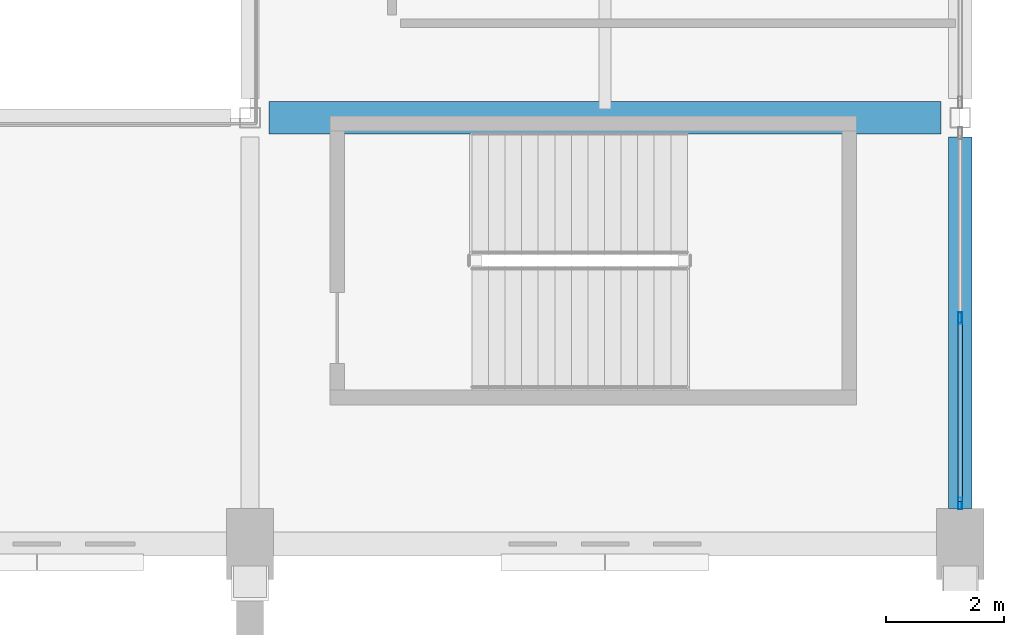
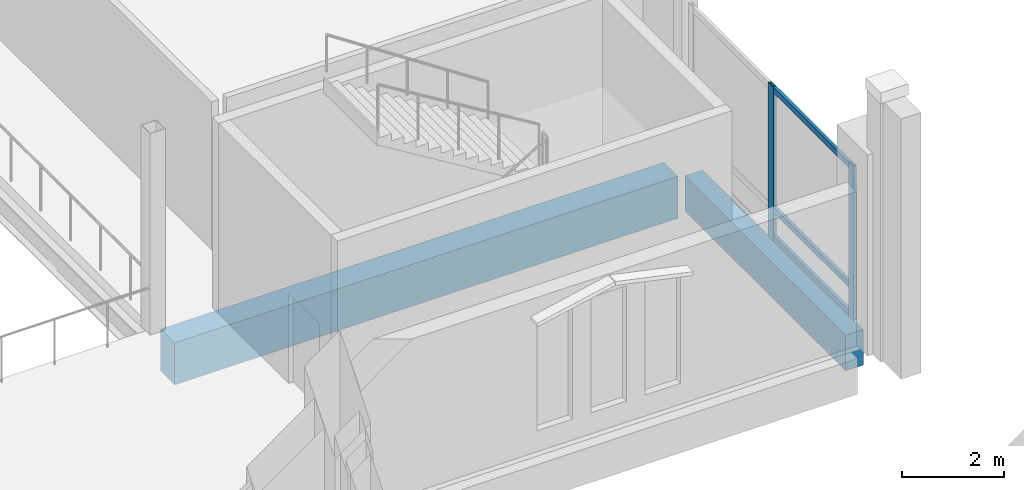
# One storey, part 79 of 193: 5 members, 2 beams, 1 element without a shape of its own.
"""IFC4 building model written with IfcOpenShell, lengths in metres."""

import ifcopenshell
import ifcopenshell.guid

model = None  # the IFC model being written
_history = None  # IfcOwnerHistory: only IFC2X3 demands one
_inside = {}  # id of a spatial element -> (the spatial element, [elements in it])
_under = {}  # id of a project, library or spatial element -> (it, [spatial elements below it])
_declared = {}  # id of a project -> (the project, [libraries it declares])
_typed = {}  # id of a type object -> (the type object, [elements of that type])
_made_of = {}  # id of a material, layer set ... -> (it, [elements and type objects made of it])


def new_model(schema):
    """Start an empty IFC model of exactly this schema.

    Asked for "IFC4X3", IfcOpenShell would pick the latest addendum, in which some entities
    have other attributes; the version numbers below select the first issue.
    IFC2X3 requires an IfcOwnerHistory on every rooted entity: one is made here for all.
    """
    global model, _history
    if schema == "IFC4X3":
        model = ifcopenshell.file(schema_version=(4, 3, 0, 0))
    else:
        model = ifcopenshell.file(schema=schema)
    _inside.clear()
    _under.clear()
    _declared.clear()
    _typed.clear()
    _made_of.clear()
    _history = None
    if model.schema == "IFC2X3":
        org = make("IfcOrganization", Name="unknown")
        user = make(
            "IfcPersonAndOrganization",
            ThePerson=make("IfcPerson", FamilyName="unknown"),
            TheOrganization=org,
        )
        app = make(
            "IfcApplication",
            ApplicationDeveloper=org,
            Version="unknown",
            ApplicationFullName="unknown",
            ApplicationIdentifier="unknown",
        )
        _history = make(
            "IfcOwnerHistory",
            OwningUser=user,
            OwningApplication=app,
            ChangeAction="ADDED",
            CreationDate=0,
        )
    return model


def make(cls, **values):
    """One entity of the class cls with the attributes given. An attribute that is None is left unset."""
    return model.create_entity(
        cls, **{name: value for name, value in values.items() if value is not None}
    )


def rooted(cls, **values):
    """An entity with a GlobalId (a new one), such as an element, a storey or a relation."""
    return make(cls, GlobalId=ifcopenshell.guid.new(), OwnerHistory=_history, **values)


def si_unit(unit_type, name, prefix=None):
    """IfcSIUnit, for example si_unit("LENGTHUNIT", "METRE", prefix="MILLI")."""
    return make("IfcSIUnit", UnitType=unit_type, Prefix=prefix, Name=name)


def assignment(units):
    """IfcUnitAssignment: the units of a project."""
    return None if units is None else make("IfcUnitAssignment", Units=units)


def point(xyz):
    """IfcCartesianPoint."""
    return None if xyz is None else make("IfcCartesianPoint", Coordinates=xyz)


def direction(xyz):
    """IfcDirection."""
    return None if xyz is None else make("IfcDirection", DirectionRatios=xyz)


def frame(location, z_axis=None, x_axis=None):
    """IfcAxis2Placement3D, a coordinate frame: its origin and axes. An axis left out is left unset."""
    return make(
        "IfcAxis2Placement3D",
        Location=point(location),
        Axis=direction(z_axis),
        RefDirection=direction(x_axis),
    )


def frame_2d(location, x_axis=None):
    """IfcAxis2Placement2D, a coordinate frame in the plane: its origin and x axis."""
    return make(
        "IfcAxis2Placement2D", Location=point(location), RefDirection=direction(x_axis)
    )


def origin():
    """The frame at (0, 0, 0) with its axes left unset."""
    return frame((0.0, 0.0, 0.0))


def origin_2d():
    """The frame at (0, 0) in the plane with its x axis left unset."""
    return frame_2d((0.0, 0.0))


def place(relative_to, where):
    """IfcLocalPlacement: puts the frame where relative to a parent placement (None: the world)."""
    return make(
        "IfcLocalPlacement", PlacementRelTo=relative_to, RelativePlacement=where
    )


def context(
    kind, dimensions, precision=None, world=None, true_north=None, identifier=None
):
    """IfcGeometricRepresentationContext, for example the 3D "Model" context."""
    return make(
        "IfcGeometricRepresentationContext",
        ContextIdentifier=identifier,
        ContextType=kind,
        CoordinateSpaceDimension=dimensions,
        Precision=precision,
        WorldCoordinateSystem=world,
        TrueNorth=true_north,
    )


def subcontext(parent, identifier, kind, view, scale=None):
    """IfcGeometricRepresentationSubContext, for example "Body" below "Model"."""
    return make(
        "IfcGeometricRepresentationSubContext",
        ContextIdentifier=identifier,
        ContextType=kind,
        ParentContext=parent,
        TargetScale=scale,
        TargetView=view,
    )


def project(units=None, contexts=None):
    """IfcProject with its units and contexts."""
    return rooted(
        "IfcProject",
        Name="project",
        RepresentationContexts=contexts,
        UnitsInContext=assignment(units),
    )


def spatial(cls, under=None, at=None, **own):
    """A site, building, storey or space (cls), placed at a placement, below another one or the project."""
    s = rooted(cls, ObjectPlacement=at, **own)
    if under is not None:
        _under.setdefault(under.id(), (under, []))[1].append(s)
    return s


def profile(cls, at=None, kind="AREA", **sizes):
    """A parametric profile (cls). Its sizes go by their IFC names, for example OverallWidth=200.0."""
    return make(cls, ProfileType=kind, Position=at, **sizes)


def rectangle(**sizes):
    """IfcRectangleProfileDef."""
    return profile("IfcRectangleProfileDef", **sizes)


def hollow_rectangle(**sizes):
    """IfcRectangleHollowProfileDef."""
    return profile("IfcRectangleHollowProfileDef", **sizes)


def extrude(swept, where, along, depth):
    """IfcExtrudedAreaSolid: the profile swept, set in the frame where, extruded along a direction by depth."""
    return make(
        "IfcExtrudedAreaSolid",
        SweptArea=swept,
        Position=where,
        ExtrudedDirection=direction(along),
        Depth=depth,
    )


def shape(context_of_items, identifier, shape_type, items):
    """IfcShapeRepresentation: the items that make up one representation, for example the "Body"."""
    return make(
        "IfcShapeRepresentation",
        ContextOfItems=context_of_items,
        RepresentationIdentifier=identifier,
        RepresentationType=shape_type,
        Items=items,
    )


def material(Name=None, Category=None):
    """IfcMaterial."""
    return make("IfcMaterial", Name=Name, Category=Category)


def material_profile(
    of_material, cross_section, Name=None, Category=None, Priority=None
):
    """IfcMaterialProfile: a cross section and its material."""
    return make(
        "IfcMaterialProfile",
        Name=Name,
        Material=of_material,
        Profile=cross_section,
        Priority=Priority,
        Category=Category,
    )


def profile_set(profiles, Name=None, composite=None):
    """IfcMaterialProfileSet."""
    return make(
        "IfcMaterialProfileSet",
        Name=Name,
        MaterialProfiles=profiles,
        CompositeProfile=composite,
    )


def made_of(thing, what):
    """Note that an element or type object is made of a material, layer set ...; save() writes the relation."""
    if what is not None:
        _made_of.setdefault(what.id(), (what, []))[1].append(thing)
    return thing


def type_object(cls, material=None, **own):
    """A type object (cls), such as IfcWallType, which elements share."""
    return made_of(rooted(cls, **own), material)


def element(
    cls,
    number,
    at=None,
    inside=None,
    cuts=None,
    type_object=None,
    material=None,
    context=None,
    identifier="Body",
    shape_type=None,
    held_by="IfcProductDefinitionShape",
    body=None,
    shapes=None,
    **own,
):
    """One element of the class cls, such as IfcWall. Its Tag is "e" and its number.

    at: its placement. inside: the storey or other place that contains it. cuts: it is an
    opening in that element (IfcRelVoidsElement). A single representation is given by context,
    identifier, shape_type and body (its items); several are given by shapes. held_by: the class
    of the entity that holds the representations. save() writes the other relations.
    """
    e = rooted(cls, Tag="e%d" % number, ObjectPlacement=at, **own)
    if body is not None:
        shapes = [shape(context, identifier, shape_type, body)]
    if shapes is not None:
        e.Representation = make(held_by, Representations=shapes)
    if inside is not None:
        _inside.setdefault(inside.id(), (inside, []))[1].append(e)
    if cuts is not None:
        rooted(
            "IfcRelVoidsElement", RelatingBuildingElement=cuts, RelatedOpeningElement=e
        )
    if type_object is not None:
        _typed.setdefault(type_object.id(), (type_object, []))[1].append(e)
    return made_of(e, material)


def aggregate(whole, parts):
    """IfcRelAggregates: a whole, such as a stair, and the parts it consists of."""
    return rooted("IfcRelAggregates", RelatingObject=whole, RelatedObjects=parts)


def save(model, path):
    """Write the relations noted so far, then the file.

    IfcRelAggregates (storeys below a building ...), IfcRelContainedInSpatialStructure (elements
    in a storey), IfcRelDefinesByType, IfcRelAssociatesMaterial and IfcRelDeclares: one each for
    every whole, place, type object, material and project.
    """
    for whole, parts in _under.values():
        aggregate(whole, parts)
    for where, things in _inside.values():
        rooted(
            "IfcRelContainedInSpatialStructure",
            RelatedElements=things,
            RelatingStructure=where,
        )
    for kind, things in _typed.values():
        rooted("IfcRelDefinesByType", RelatedObjects=things, RelatingType=kind)
    for what, things in _made_of.values():
        rooted("IfcRelAssociatesMaterial", RelatedObjects=things, RelatingMaterial=what)
    for by, libraries in _declared.values():
        rooted("IfcRelDeclares", RelatingContext=by, RelatedDefinitions=libraries)
    model.write(path)


model = new_model("IFC4")

# Units and contexts
model_context = context("Model", 3, precision=1e-05, world=origin(), true_north=direction((0.0, 1.0)))
body_context = subcontext(model_context, "Body", "Model", "MODEL_VIEW")
ifc_project = project(units=[si_unit("LENGTHUNIT", "METRE"), si_unit("AREAUNIT", "SQUARE_METRE"), si_unit("VOLUMEUNIT", "CUBIC_METRE"), si_unit("PLANEANGLEUNIT", "RADIAN"), si_unit("MASSUNIT", "GRAM", prefix="KILO")], contexts=[model_context])

# Site, building, storey
site_placement = place(None, origin())
site = spatial("IfcSite", under=ifc_project, at=site_placement, CompositionType="ELEMENT")
building_placement = place(site_placement, origin())
building = spatial("IfcBuilding", under=site, at=building_placement, Name="Cendralis Lancet Convention Centre", CompositionType="ELEMENT")
storey_placement = place(building_placement, frame((0.0, 0.0, 10.199951171875)))
storey = spatial("IfcBuildingStorey", under=building, at=storey_placement, Name="L02", CompositionType="ELEMENT", Elevation=10.199951171875)

# Curtain wall, members
ifc_material_1 = material(Name="Anodised bronze architectural aluminium", Category="aluminium")
curtain_wall_type = type_object("IfcCurtainWallType", Name="ARC-CW-PL02", PredefinedType="USERDEFINED", material=ifc_material_1)
curtain_wall_placement = place(storey_placement, origin())
curtain_wall = element("IfcCurtainWall", 1, at=curtain_wall_placement, inside=storey, type_object=curtain_wall_type, Name="L02 Curtain Wall CW-PL2 #131", ObjectType="CURTAIN WALL", PredefinedType="USERDEFINED")
ifc_material_profile_1 = material_profile(ifc_material_1, hollow_rectangle(XDim=0.070068359375, YDim=0.199951171875, WallThickness=0.0048828125, at=origin_2d()), Name="AL-MULL 70x200x5.0")
ifc_profile_set_1 = profile_set([ifc_material_profile_1], Name="Anodised bronze architectural aluminium")
member_type_1 = type_object("IfcMemberType", Name="ARC-CW-ML02", PredefinedType="MULLION", material=ifc_profile_set_1)
member_1_placement = place(storey_placement, frame((208.800048828125, 47.012451171875, 0.0), z_axis=(0.0, 0.0, 1.0), x_axis=(1.0, 0.0, 0.0)))
member_1 = element("IfcMember", 2, at=member_1_placement, type_object=member_type_1, Name="Mullion CW2-CW-PL2-L02-131-M1", PredefinedType="MULLION", context=body_context, shape_type="SweptSolid", body=[
    extrude(hollow_rectangle(XDim=0.070068359375, YDim=0.199951171875, WallThickness=0.0048828125, at=origin_2d()), origin(), (0.0, 0.0, 1.0), 3.675048828125),
])
member_2_placement = place(storey_placement, frame((208.800048828125, 43.885009765625, 0.0), z_axis=(0.0, 0.0, 1.0), x_axis=(1.0, 0.0, 0.0)))
member_2 = element("IfcMember", 3, at=member_2_placement, type_object=member_type_1, Name="Mullion CW2-CW-PL2-L02-131-M2", PredefinedType="MULLION", context=body_context, shape_type="SweptSolid", body=[
    extrude(hollow_rectangle(XDim=0.070068359375, YDim=0.199951171875, WallThickness=0.0048828125, at=origin_2d()), origin(), (0.0, 0.0, 1.0), 3.675048828125),
])
ifc_material_profile_2 = material_profile(ifc_material_1, hollow_rectangle(XDim=0.070068359375, YDim=0.139892578125, WallThickness=0.00390625, at=origin_2d()), Name="AL-TRAN 70x140x4.0")
ifc_profile_set_2 = profile_set([ifc_material_profile_2], Name="Anodised bronze architectural aluminium")
member_type_2 = type_object("IfcMemberType", Name="ARC-CW-TR02", PredefinedType="USERDEFINED", material=ifc_profile_set_2)
member_3_placement = place(storey_placement, frame((208.800048828125, 46.9423828125, 0.070068359375), z_axis=(0.0, -1.0, 0.0), x_axis=(1.0, 0.0, 0.0)))
member_3 = element("IfcMember", 4, at=member_3_placement, type_object=member_type_2, Name="Transom CW2-CW-PL2-L02-131-T1BOT", ObjectType="TRANSOM", PredefinedType="USERDEFINED", context=body_context, shape_type="SweptSolid", body=[
    extrude(hollow_rectangle(XDim=0.070068359375, YDim=0.139892578125, WallThickness=0.00390625, at=origin_2d()), origin(), (0.0, 0.0, 1.0), 3.0224609375),
])
member_4_placement = place(storey_placement, frame((208.800048828125, 46.9423828125, 0.75), z_axis=(0.0, -1.0, 0.0), x_axis=(1.0, 0.0, 0.0)))
member_4 = element("IfcMember", 5, at=member_4_placement, type_object=member_type_2, Name="Transom CW2-CW-PL2-L02-131-T1MID", ObjectType="TRANSOM", PredefinedType="USERDEFINED", context=body_context, shape_type="SweptSolid", body=[
    extrude(hollow_rectangle(XDim=0.070068359375, YDim=0.139892578125, WallThickness=0.00390625, at=origin_2d()), origin(), (0.0, 0.0, 1.0), 3.0224609375),
])
member_5_placement = place(storey_placement, frame((208.800048828125, 46.9423828125, 3.60498046875), z_axis=(0.0, -1.0, 0.0), x_axis=(1.0, 0.0, 0.0)))
member_5 = element("IfcMember", 6, at=member_5_placement, type_object=member_type_2, Name="Transom CW2-CW-PL2-L02-131-T1TOP", ObjectType="TRANSOM", PredefinedType="USERDEFINED", context=body_context, shape_type="SweptSolid", body=[
    extrude(hollow_rectangle(XDim=0.070068359375, YDim=0.139892578125, WallThickness=0.00390625, at=origin_2d()), origin(), (0.0, 0.0, 1.0), 3.0224609375),
])
aggregate(curtain_wall, [member_1, member_2, member_3, member_4, member_5])

# Beams
ifc_material_2 = material(Name="Concrete G40 (C40/50)", Category="concrete")
ifc_material_profile_3 = material_profile(ifc_material_2, rectangle(XDim=0.550048828125, YDim=1.0, at=origin_2d()), Name="RCB 550x1000")
ifc_profile_set_3 = profile_set([ifc_material_profile_3], Name="Concrete G40 (C40/50)")
beam_type_1 = type_object("IfcBeamType", Name="STR-BM-BG05", PredefinedType="BEAM", material=ifc_profile_set_3)
beam_1_placement = place(storey_placement, frame((197.125, 50.39990234375, -0.800048828125), z_axis=(1.0, 0.0, 0.0), x_axis=(0.0, 1.0, 0.0)))
element("IfcBeam", 7, at=beam_1_placement, inside=storey, type_object=beam_type_1, Name="L02 Beam BG05 #1469", PredefinedType="BEAM", context=body_context, shape_type="SweptSolid", body=[
    extrude(rectangle(XDim=0.550048828125, YDim=1.0, at=origin_2d()), origin(), (0.0, 0.0, 1.0), 11.35009765625),
])
ifc_material_profile_4 = material_profile(ifc_material_2, rectangle(XDim=0.39990234375, YDim=0.85009765625, at=origin_2d()), Name="RCB 400x850")
ifc_profile_set_4 = profile_set([ifc_material_profile_4], Name="Concrete G40 (C40/50)")
beam_type_2 = type_object("IfcBeamType", Name="STR-SP-SP02", PredefinedType="SPANDREL", material=ifc_profile_set_4)
beam_2_placement = place(storey_placement, frame((208.800048828125, 43.800048828125, -0.724853515625), z_axis=(0.0, 1.0, 0.0), x_axis=(-1.0, 0.0, 0.0)))
element("IfcBeam", 8, at=beam_2_placement, inside=storey, type_object=beam_type_2, Name="L02 Beam SP02 #1492", PredefinedType="SPANDREL", context=body_context, shape_type="SweptSolid", body=[
    extrude(rectangle(XDim=0.39990234375, YDim=0.85009765625, at=origin_2d()), origin(), (0.0, 0.0, 1.0), 6.27490234375),
])

save(model, "model.ifc")
